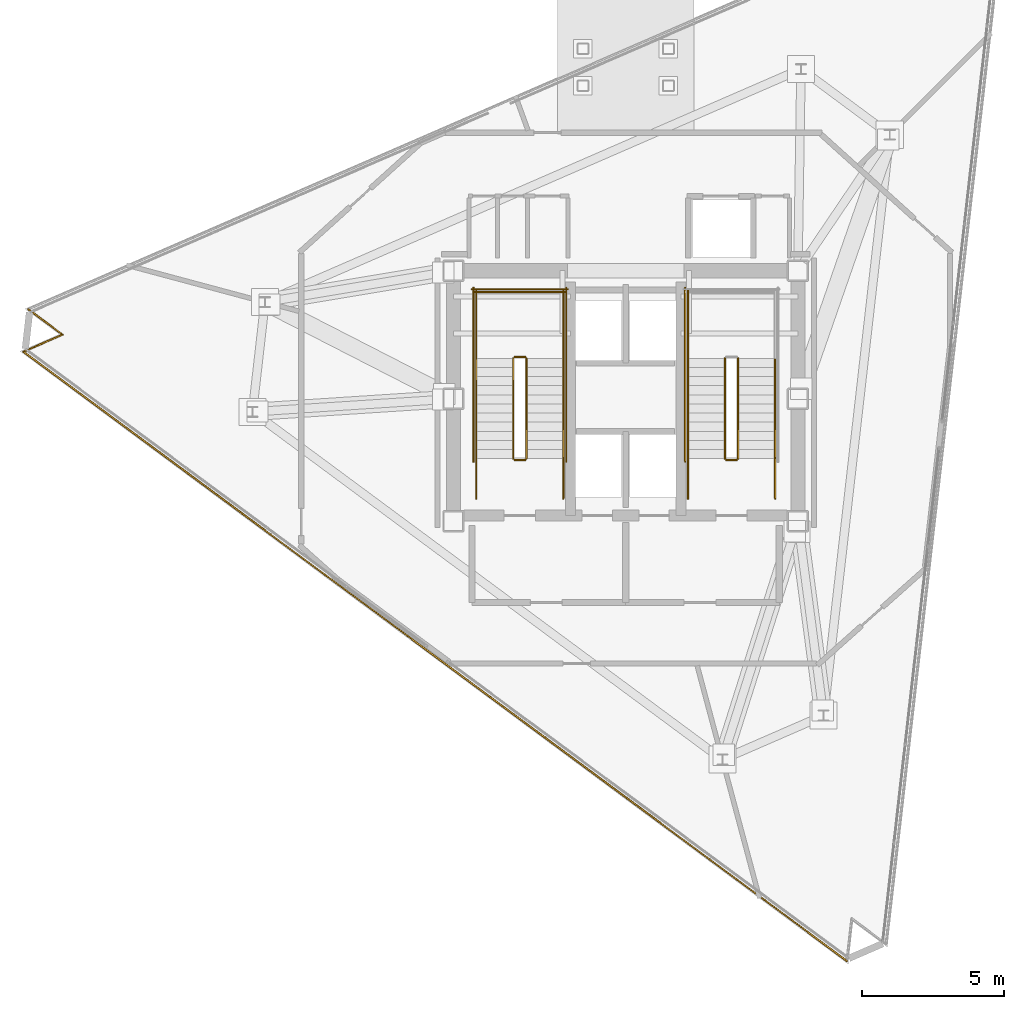
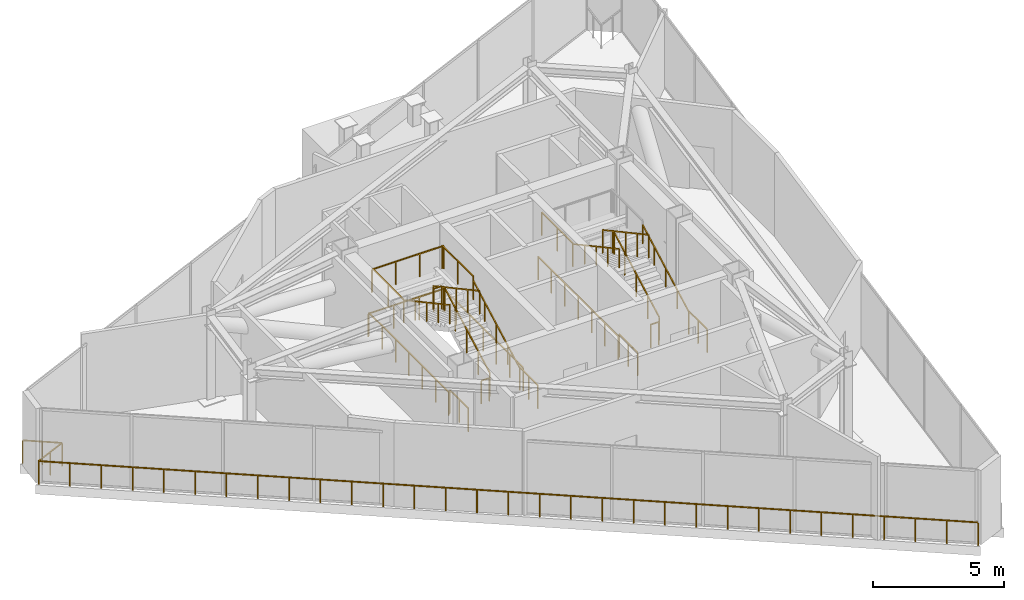
# One storey, part 10 of 11: 24 railings.
"""IFC4 building model written with IfcOpenShell, lengths in metres."""

from ifc_helpers import new_model, si_unit, direction, frame, origin, origin_2d, place, context, subcontext, project, spatial, rectangle, extrude, material, layer, layer_set, type_object, element, save


model = new_model("IFC4")

# Units and contexts
model_context = context("Model", 3, precision=1e-05, world=origin(), true_north=direction((0.0, 1.0)))
body_context = subcontext(model_context, "Body", "Model", "MODEL_VIEW")
ifc_project = project(units=[si_unit("LENGTHUNIT", "METRE"), si_unit("AREAUNIT", "SQUARE_METRE"), si_unit("VOLUMEUNIT", "CUBIC_METRE"), si_unit("PLANEANGLEUNIT", "RADIAN"), si_unit("MASSUNIT", "GRAM", prefix="KILO")], contexts=[model_context])

# Site, building, storey
site_placement = place(None, origin())
site = spatial("IfcSite", under=ifc_project, at=site_placement, CompositionType="ELEMENT")
building_placement = place(site_placement, origin())
building = spatial("IfcBuilding", under=site, at=building_placement, Name="Rocaltana Carrier Exchange", CompositionType="ELEMENT")
storey_placement = place(building_placement, frame((0.0, 0.0, 239.199951171875)))
storey = spatial("IfcBuildingStorey", under=building, at=storey_placement, Name="L76", CompositionType="ELEMENT", Elevation=239.199951171875)

# Railings
ifc_material_1 = material(Name="Brushed Architectural Stainless Tube", Category="steel")
ifc_layer_1 = layer(ifc_material_1, 0.048095703125)
ifc_layer_set_1 = layer_set([ifc_layer_1], Name="Brushed Architectural Stainless Tube")
railing_type_1 = type_object("IfcRailingType", Name="Stair Wall Handrail 920", PredefinedType="HANDRAIL", material=ifc_layer_set_1)
railing_1_placement = place(storey_placement, frame((-2.18994140625, -2.10009765625, 0.17333984375)))
element("IfcRailing", 1, at=railing_1_placement, inside=storey, type_object=railing_type_1, Name="L76 ST-1 stair handrail 1", PredefinedType="HANDRAIL", context=body_context, shape_type="SweptSolid", body=[
    extrude(rectangle(XDim=0.048095703125, YDim=0.048095703125, at=origin_2d()), frame((0.0, 0.0, 0.8759765625), z_axis=(0.0, 0.879285581423, 0.476294936254), x_axis=(-1.0, 0.0, 0.0)), (0.0, 0.0, 1.0), 4.003173828125),
    extrude(rectangle(XDim=0.0419921875, YDim=0.0419921875, at=origin_2d()), origin(), (0.0, 0.0, 1.0), 0.851806640625),
    extrude(rectangle(XDim=0.0419921875, YDim=0.0419921875, at=origin_2d()), frame((0.0, 0.8798828125, 0.4765625)), (0.0, 0.0, 1.0), 0.851806640625),
    extrude(rectangle(XDim=0.0419921875, YDim=0.0419921875, at=origin_2d()), frame((0.0, 1.760009765625, 0.953369140625)), (0.0, 0.0, 1.0), 0.851806640625),
    extrude(rectangle(XDim=0.0419921875, YDim=0.0419921875, at=origin_2d()), frame((0.0, 2.64013671875, 1.43017578125)), (0.0, 0.0, 1.0), 0.851806640625),
    extrude(rectangle(XDim=0.0419921875, YDim=0.0419921875, at=origin_2d()), frame((0.0, 3.52001953125, 1.90673828125)), (0.0, 0.0, 1.0), 0.851806640625),
])
railing_2_placement = place(storey_placement, frame((-5.25, 1.419921875, 2.25341796875)))
element("IfcRailing", 2, at=railing_2_placement, inside=storey, type_object=railing_type_1, Name="L76 ST-1 stair handrail 2", PredefinedType="HANDRAIL", context=body_context, shape_type="SweptSolid", body=[
    extrude(rectangle(XDim=0.048095703125, YDim=0.048095703125, at=origin_2d()), frame((0.0, 0.0, 0.8759765625), z_axis=(0.0, -0.879285581423, 0.476294936254), x_axis=(1.0, 0.0, 0.0)), (0.0, 0.0, 1.0), 4.003173828125),
    extrude(rectangle(XDim=0.0419921875, YDim=0.0419921875, at=origin_2d()), origin(), (0.0, 0.0, 1.0), 0.851806640625),
    extrude(rectangle(XDim=0.0419921875, YDim=0.0419921875, at=origin_2d()), frame((0.0, -0.8798828125, 0.4765625)), (0.0, 0.0, 1.0), 0.851806640625),
    extrude(rectangle(XDim=0.0419921875, YDim=0.0419921875, at=origin_2d()), frame((0.0, -1.760009765625, 0.953369140625)), (0.0, 0.0, 1.0), 0.851806640625),
    extrude(rectangle(XDim=0.0419921875, YDim=0.0419921875, at=origin_2d()), frame((0.0, -2.64013671875, 1.43017578125)), (0.0, 0.0, 1.0), 0.851806640625),
    extrude(rectangle(XDim=0.0419921875, YDim=0.0419921875, at=origin_2d()), frame((0.0, -3.52001953125, 1.90673828125)), (0.0, 0.0, 1.0), 0.851806640625),
])
railing_3_placement = place(storey_placement, frame((5.25, -2.10009765625, 0.17333984375)))
element("IfcRailing", 3, at=railing_3_placement, inside=storey, type_object=railing_type_1, Name="L76 ST-2 stair handrail 1", PredefinedType="HANDRAIL", context=body_context, shape_type="SweptSolid", body=[
    extrude(rectangle(XDim=0.048095703125, YDim=0.048095703125, at=origin_2d()), frame((0.0, 0.0, 0.8759765625), z_axis=(0.0, 0.879285581423, 0.476294936254), x_axis=(-1.0, 0.0, 0.0)), (0.0, 0.0, 1.0), 4.003173828125),
    extrude(rectangle(XDim=0.0419921875, YDim=0.0419921875, at=origin_2d()), origin(), (0.0, 0.0, 1.0), 0.851806640625),
    extrude(rectangle(XDim=0.0419921875, YDim=0.0419921875, at=origin_2d()), frame((0.0, 0.8798828125, 0.4765625)), (0.0, 0.0, 1.0), 0.851806640625),
    extrude(rectangle(XDim=0.0419921875, YDim=0.0419921875, at=origin_2d()), frame((0.0, 1.760009765625, 0.953369140625)), (0.0, 0.0, 1.0), 0.851806640625),
    extrude(rectangle(XDim=0.0419921875, YDim=0.0419921875, at=origin_2d()), frame((0.0, 2.64013671875, 1.43017578125)), (0.0, 0.0, 1.0), 0.851806640625),
    extrude(rectangle(XDim=0.0419921875, YDim=0.0419921875, at=origin_2d()), frame((0.0, 3.52001953125, 1.90673828125)), (0.0, 0.0, 1.0), 0.851806640625),
])
railing_4_placement = place(storey_placement, frame((2.18994140625, 1.419921875, 2.25341796875)))
element("IfcRailing", 4, at=railing_4_placement, inside=storey, type_object=railing_type_1, Name="L76 ST-2 stair handrail 2", PredefinedType="HANDRAIL", context=body_context, shape_type="SweptSolid", body=[
    extrude(rectangle(XDim=0.048095703125, YDim=0.048095703125, at=origin_2d()), frame((0.0, 0.0, 0.8759765625), z_axis=(0.0, -0.879285581423, 0.476294936254), x_axis=(1.0, 0.0, 0.0)), (0.0, 0.0, 1.0), 4.003173828125),
    extrude(rectangle(XDim=0.0419921875, YDim=0.0419921875, at=origin_2d()), origin(), (0.0, 0.0, 1.0), 0.851806640625),
    extrude(rectangle(XDim=0.0419921875, YDim=0.0419921875, at=origin_2d()), frame((0.0, -0.8798828125, 0.4765625)), (0.0, 0.0, 1.0), 0.851806640625),
    extrude(rectangle(XDim=0.0419921875, YDim=0.0419921875, at=origin_2d()), frame((0.0, -1.760009765625, 0.953369140625)), (0.0, 0.0, 1.0), 0.851806640625),
    extrude(rectangle(XDim=0.0419921875, YDim=0.0419921875, at=origin_2d()), frame((0.0, -2.64013671875, 1.43017578125)), (0.0, 0.0, 1.0), 0.851806640625),
    extrude(rectangle(XDim=0.0419921875, YDim=0.0419921875, at=origin_2d()), frame((0.0, -3.52001953125, 1.90673828125)), (0.0, 0.0, 1.0), 0.851806640625),
])
ifc_material_2 = material(Name="Powder-Coated Aluminium 6063-T6", Category="aluminium")
ifc_layer_2 = layer(ifc_material_2, 0.048095703125)
ifc_layer_set_2 = layer_set([ifc_layer_2], Name="Powder-Coated Aluminium 6063-T6")
railing_type_2 = type_object("IfcRailingType", Name="Stair Well Guardrail 1100", PredefinedType="GUARDRAIL", material=ifc_layer_set_2)
railing_5_placement = place(storey_placement, frame((-3.489990234375, -2.10009765625, 0.17333984375)))
element("IfcRailing", 5, at=railing_5_placement, inside=storey, type_object=railing_type_2, Name="L76 ST-1 stair guard 1", PredefinedType="GUARDRAIL", context=body_context, shape_type="SweptSolid", body=[
    extrude(rectangle(XDim=0.048095703125, YDim=0.048095703125, at=origin_2d()), frame((0.0, 0.0, 1.076171875), z_axis=(0.0, 0.879285581423, 0.476294936254), x_axis=(-1.0, 0.0, 0.0)), (0.0, 0.0, 1.0), 4.003173828125),
    extrude(rectangle(XDim=0.0419921875, YDim=0.0419921875, at=origin_2d()), origin(), (0.0, 0.0, 1.0), 1.052001953125),
    extrude(rectangle(XDim=0.0419921875, YDim=0.0419921875, at=origin_2d()), frame((0.0, 0.8798828125, 0.4765625)), (0.0, 0.0, 1.0), 1.052001953125),
    extrude(rectangle(XDim=0.0419921875, YDim=0.0419921875, at=origin_2d()), frame((0.0, 1.760009765625, 0.953369140625)), (0.0, 0.0, 1.0), 1.052001953125),
    extrude(rectangle(XDim=0.0419921875, YDim=0.0419921875, at=origin_2d()), frame((0.0, 2.64013671875, 1.43017578125)), (0.0, 0.0, 1.0), 1.052001953125),
    extrude(rectangle(XDim=0.0419921875, YDim=0.0419921875, at=origin_2d()), frame((0.0, 3.52001953125, 1.90673828125)), (0.0, 0.0, 1.0), 1.052001953125),
])
railing_6_placement = place(storey_placement, frame((-3.5400390625, 1.469970703125, 2.080078125)))
element("IfcRailing", 6, at=railing_6_placement, inside=storey, type_object=railing_type_2, Name="L76 ST-1 stair guard 2", PredefinedType="GUARDRAIL", context=body_context, shape_type="SweptSolid", body=[
    extrude(rectangle(XDim=0.048095703125, YDim=0.048095703125, at=origin_2d()), frame((0.0, 0.0, 1.076171875), z_axis=(-1.0, 0.0, 0.0), x_axis=(0.0, -1.0, 0.0)), (0.0, 0.0, 1.0), 0.35986328125),
    extrude(rectangle(XDim=0.0419921875, YDim=0.0419921875, at=origin_2d()), origin(), (0.0, 0.0, 1.0), 1.052001953125),
    extrude(rectangle(XDim=0.0419921875, YDim=0.0419921875, at=origin_2d()), frame((-0.35986328125, 0.0, 0.0)), (0.0, 0.0, 1.0), 1.052001953125),
])
for number, where, name in (
    (7, (-2.18994140625, 1.419921875, 2.080078125), "L76 ST-1 stair guard 3"),
    (8, (-5.25, 1.419921875, 2.080078125), "L76 ST-1 stair guard 4"),
):
    element("IfcRailing", number, at=place(storey_placement, frame(where)), inside=storey, type_object=railing_type_2, Name=name, PredefinedType="GUARDRAIL", context=body_context, shape_type="SweptSolid", body=[
        extrude(rectangle(XDim=0.048095703125, YDim=0.048095703125, at=origin_2d()), frame((0.0, 0.0, 1.076171875), z_axis=(0.0, 1.0, 0.0), x_axis=(-1.0, 0.0, 0.0)), (0.0, 0.0, 1.0), 2.380126953125),
        extrude(rectangle(XDim=0.0419921875, YDim=0.0419921875, at=origin_2d()), origin(), (0.0, 0.0, 1.0), 1.052001953125),
        extrude(rectangle(XDim=0.0419921875, YDim=0.0419921875, at=origin_2d()), frame((0.0, 1.18994140625, 0.0)), (0.0, 0.0, 1.0), 1.052001953125),
        extrude(rectangle(XDim=0.0419921875, YDim=0.0419921875, at=origin_2d()), frame((0.0, 2.380126953125, 0.0)), (0.0, 0.0, 1.0), 1.052001953125),
    ])
railing_7_placement = place(storey_placement, frame((-2.139892578125, 3.75, 2.080078125)))
element("IfcRailing", 9, at=railing_7_placement, inside=storey, type_object=railing_type_2, Name="L76 ST-1 stair guard 5", PredefinedType="GUARDRAIL", context=body_context, shape_type="SweptSolid", body=[
    extrude(rectangle(XDim=0.048095703125, YDim=0.048095703125, at=origin_2d()), frame((0.0, 0.0, 1.076171875), z_axis=(-1.0, 0.0, 0.0), x_axis=(0.0, -1.0, 0.0)), (0.0, 0.0, 1.0), 3.16015625),
    extrude(rectangle(XDim=0.0419921875, YDim=0.0419921875, at=origin_2d()), origin(), (0.0, 0.0, 1.0), 1.052001953125),
    extrude(rectangle(XDim=0.0419921875, YDim=0.0419921875, at=origin_2d()), frame((-1.053466796875, 0.0, 0.0)), (0.0, 0.0, 1.0), 1.052001953125),
    extrude(rectangle(XDim=0.0419921875, YDim=0.0419921875, at=origin_2d()), frame((-2.106689453125, 0.0, 0.0)), (0.0, 0.0, 1.0), 1.052001953125),
    extrude(rectangle(XDim=0.0419921875, YDim=0.0419921875, at=origin_2d()), frame((-3.16015625, 0.0, 0.0)), (0.0, 0.0, 1.0), 1.052001953125),
])
railing_8_placement = place(storey_placement, frame((-3.949951171875, 1.419921875, 2.25341796875)))
element("IfcRailing", 10, at=railing_8_placement, inside=storey, type_object=railing_type_2, Name="L76 ST-1 stair guard 6", PredefinedType="GUARDRAIL", context=body_context, shape_type="SweptSolid", body=[
    extrude(rectangle(XDim=0.048095703125, YDim=0.048095703125, at=origin_2d()), frame((0.0, 0.0, 1.076171875), z_axis=(0.0, -0.879285581423, 0.476294936254), x_axis=(1.0, 0.0, 0.0)), (0.0, 0.0, 1.0), 4.003173828125),
    extrude(rectangle(XDim=0.0419921875, YDim=0.0419921875, at=origin_2d()), origin(), (0.0, 0.0, 1.0), 1.052001953125),
    extrude(rectangle(XDim=0.0419921875, YDim=0.0419921875, at=origin_2d()), frame((0.0, -0.8798828125, 0.4765625)), (0.0, 0.0, 1.0), 1.052001953125),
    extrude(rectangle(XDim=0.0419921875, YDim=0.0419921875, at=origin_2d()), frame((0.0, -1.760009765625, 0.953369140625)), (0.0, 0.0, 1.0), 1.052001953125),
    extrude(rectangle(XDim=0.0419921875, YDim=0.0419921875, at=origin_2d()), frame((0.0, -2.64013671875, 1.43017578125)), (0.0, 0.0, 1.0), 1.052001953125),
    extrude(rectangle(XDim=0.0419921875, YDim=0.0419921875, at=origin_2d()), frame((0.0, -3.52001953125, 1.90673828125)), (0.0, 0.0, 1.0), 1.052001953125),
])
railing_9_placement = place(storey_placement, frame((-3.5400390625, -2.14990234375, 0.0)))
element("IfcRailing", 11, at=railing_9_placement, inside=storey, type_object=railing_type_2, Name="L76 ST-1 stair guard 7", PredefinedType="GUARDRAIL", context=body_context, shape_type="SweptSolid", body=[
    extrude(rectangle(XDim=0.048095703125, YDim=0.048095703125, at=origin_2d()), frame((0.0, 0.0, 1.076171875), z_axis=(-1.0, 0.0, 0.0), x_axis=(0.0, -1.0, 0.0)), (0.0, 0.0, 1.0), 0.35986328125),
    extrude(rectangle(XDim=0.0419921875, YDim=0.0419921875, at=origin_2d()), origin(), (0.0, 0.0, 1.0), 1.052001953125),
    extrude(rectangle(XDim=0.0419921875, YDim=0.0419921875, at=origin_2d()), frame((-0.35986328125, 0.0, 0.0)), (0.0, 0.0, 1.0), 1.052001953125),
])
for number, where, name in (
    (12, (-2.18994140625, -3.5, 0.0), "L76 ST-1 stair guard 8"),
    (13, (-5.25, -3.5, 0.0), "L76 ST-1 stair guard 9"),
):
    element("IfcRailing", number, at=place(storey_placement, frame(where)), inside=storey, type_object=railing_type_2, Name=name, PredefinedType="GUARDRAIL", context=body_context, shape_type="SweptSolid", body=[
        extrude(rectangle(XDim=0.048095703125, YDim=0.048095703125, at=origin_2d()), frame((0.0, 0.0, 1.076171875), z_axis=(0.0, 1.0, 0.0), x_axis=(-1.0, 0.0, 0.0)), (0.0, 0.0, 1.0), 1.39990234375),
        extrude(rectangle(XDim=0.0419921875, YDim=0.0419921875, at=origin_2d()), origin(), (0.0, 0.0, 1.0), 1.052001953125),
        extrude(rectangle(XDim=0.0419921875, YDim=0.0419921875, at=origin_2d()), frame((0.0, 0.699951171875, 0.0)), (0.0, 0.0, 1.0), 1.052001953125),
        extrude(rectangle(XDim=0.0419921875, YDim=0.0419921875, at=origin_2d()), frame((0.0, 1.39990234375, 0.0)), (0.0, 0.0, 1.0), 1.052001953125),
    ])
for number, where, name in (
    (14, (-2.090087890625, -2.199951171875, 0.0), "L76 ST-1 stair guard 10"),
    (15, (-5.35009765625, -2.199951171875, 0.0), "L76 ST-1 stair guard 11"),
):
    element("IfcRailing", number, at=place(storey_placement, frame(where)), inside=storey, type_object=railing_type_2, Name=name, PredefinedType="GUARDRAIL", context=body_context, shape_type="SweptSolid", body=[
        extrude(rectangle(XDim=0.048095703125, YDim=0.048095703125, at=origin_2d()), frame((0.0, 0.0, 1.076171875), z_axis=(0.0, 1.0, 0.0), x_axis=(-1.0, 0.0, 0.0)), (0.0, 0.0, 1.0), 6.099853515625),
        extrude(rectangle(XDim=0.0419921875, YDim=0.0419921875, at=origin_2d()), origin(), (0.0, 0.0, 1.0), 1.052001953125),
        extrude(rectangle(XDim=0.0419921875, YDim=0.0419921875, at=origin_2d()), frame((0.0, 1.0166015625, 0.0)), (0.0, 0.0, 1.0), 1.052001953125),
        extrude(rectangle(XDim=0.0419921875, YDim=0.0419921875, at=origin_2d()), frame((0.0, 2.033203125, 0.0)), (0.0, 0.0, 1.0), 1.052001953125),
        extrude(rectangle(XDim=0.0419921875, YDim=0.0419921875, at=origin_2d()), frame((0.0, 3.0498046875, 0.0)), (0.0, 0.0, 1.0), 1.052001953125),
        extrude(rectangle(XDim=0.0419921875, YDim=0.0419921875, at=origin_2d()), frame((0.0, 4.066650390625, 0.0)), (0.0, 0.0, 1.0), 1.052001953125),
        extrude(rectangle(XDim=0.0419921875, YDim=0.0419921875, at=origin_2d()), frame((0.0, 5.083251953125, 0.0)), (0.0, 0.0, 1.0), 1.052001953125),
        extrude(rectangle(XDim=0.0419921875, YDim=0.0419921875, at=origin_2d()), frame((0.0, 6.099853515625, 0.0)), (0.0, 0.0, 1.0), 1.052001953125),
    ])
railing_10_placement = place(storey_placement, frame((-2.0400390625, 3.85009765625, 0.0)))
element("IfcRailing", 16, at=railing_10_placement, inside=storey, type_object=railing_type_2, Name="L76 ST-1 stair guard 12", PredefinedType="GUARDRAIL", context=body_context, shape_type="SweptSolid", body=[
    extrude(rectangle(XDim=0.048095703125, YDim=0.048095703125, at=origin_2d()), frame((0.0, 0.0, 1.076171875), z_axis=(-1.0, 0.0, 0.0), x_axis=(0.0, -1.0, 0.0)), (0.0, 0.0, 1.0), 3.35986328125),
    extrude(rectangle(XDim=0.0419921875, YDim=0.0419921875, at=origin_2d()), origin(), (0.0, 0.0, 1.0), 1.052001953125),
    extrude(rectangle(XDim=0.0419921875, YDim=0.0419921875, at=origin_2d()), frame((-1.119873046875, 0.0, 0.0)), (0.0, 0.0, 1.0), 1.052001953125),
    extrude(rectangle(XDim=0.0419921875, YDim=0.0419921875, at=origin_2d()), frame((-2.239990234375, 0.0, 0.0)), (0.0, 0.0, 1.0), 1.052001953125),
    extrude(rectangle(XDim=0.0419921875, YDim=0.0419921875, at=origin_2d()), frame((-3.35986328125, 0.0, 0.0)), (0.0, 0.0, 1.0), 1.052001953125),
])
railing_11_placement = place(storey_placement, frame((3.949951171875, -2.10009765625, 0.17333984375)))
element("IfcRailing", 17, at=railing_11_placement, inside=storey, type_object=railing_type_2, Name="L76 ST-2 stair guard 1", PredefinedType="GUARDRAIL", context=body_context, shape_type="SweptSolid", body=[
    extrude(rectangle(XDim=0.048095703125, YDim=0.048095703125, at=origin_2d()), frame((0.0, 0.0, 1.076171875), z_axis=(0.0, 0.879285581423, 0.476294936254), x_axis=(-1.0, 0.0, 0.0)), (0.0, 0.0, 1.0), 4.003173828125),
    extrude(rectangle(XDim=0.0419921875, YDim=0.0419921875, at=origin_2d()), origin(), (0.0, 0.0, 1.0), 1.052001953125),
    extrude(rectangle(XDim=0.0419921875, YDim=0.0419921875, at=origin_2d()), frame((0.0, 0.8798828125, 0.4765625)), (0.0, 0.0, 1.0), 1.052001953125),
    extrude(rectangle(XDim=0.0419921875, YDim=0.0419921875, at=origin_2d()), frame((0.0, 1.760009765625, 0.953369140625)), (0.0, 0.0, 1.0), 1.052001953125),
    extrude(rectangle(XDim=0.0419921875, YDim=0.0419921875, at=origin_2d()), frame((0.0, 2.64013671875, 1.43017578125)), (0.0, 0.0, 1.0), 1.052001953125),
    extrude(rectangle(XDim=0.0419921875, YDim=0.0419921875, at=origin_2d()), frame((0.0, 3.52001953125, 1.90673828125)), (0.0, 0.0, 1.0), 1.052001953125),
])
railing_12_placement = place(storey_placement, frame((2.18994140625, 1.419921875, 2.080078125)))
element("IfcRailing", 18, at=railing_12_placement, inside=storey, type_object=railing_type_2, Name="L76 ST-2 stair guard 4", PredefinedType="GUARDRAIL", context=body_context, shape_type="SweptSolid", body=[
    extrude(rectangle(XDim=0.048095703125, YDim=0.048095703125, at=origin_2d()), frame((0.0, 0.0, 1.076171875), z_axis=(0.0, 1.0, 0.0), x_axis=(-1.0, 0.0, 0.0)), (0.0, 0.0, 1.0), 2.380126953125),
    extrude(rectangle(XDim=0.0419921875, YDim=0.0419921875, at=origin_2d()), origin(), (0.0, 0.0, 1.0), 1.052001953125),
    extrude(rectangle(XDim=0.0419921875, YDim=0.0419921875, at=origin_2d()), frame((0.0, 1.18994140625, 0.0)), (0.0, 0.0, 1.0), 1.052001953125),
    extrude(rectangle(XDim=0.0419921875, YDim=0.0419921875, at=origin_2d()), frame((0.0, 2.380126953125, 0.0)), (0.0, 0.0, 1.0), 1.052001953125),
])
railing_13_placement = place(storey_placement, frame((3.489990234375, 1.419921875, 2.25341796875)))
element("IfcRailing", 19, at=railing_13_placement, inside=storey, type_object=railing_type_2, Name="L76 ST-2 stair guard 6", PredefinedType="GUARDRAIL", context=body_context, shape_type="SweptSolid", body=[
    extrude(rectangle(XDim=0.048095703125, YDim=0.048095703125, at=origin_2d()), frame((0.0, 0.0, 1.076171875), z_axis=(0.0, -0.879285581423, 0.476294936254), x_axis=(1.0, 0.0, 0.0)), (0.0, 0.0, 1.0), 4.003173828125),
    extrude(rectangle(XDim=0.0419921875, YDim=0.0419921875, at=origin_2d()), origin(), (0.0, 0.0, 1.0), 1.052001953125),
    extrude(rectangle(XDim=0.0419921875, YDim=0.0419921875, at=origin_2d()), frame((0.0, -0.8798828125, 0.4765625)), (0.0, 0.0, 1.0), 1.052001953125),
    extrude(rectangle(XDim=0.0419921875, YDim=0.0419921875, at=origin_2d()), frame((0.0, -1.760009765625, 0.953369140625)), (0.0, 0.0, 1.0), 1.052001953125),
    extrude(rectangle(XDim=0.0419921875, YDim=0.0419921875, at=origin_2d()), frame((0.0, -2.64013671875, 1.43017578125)), (0.0, 0.0, 1.0), 1.052001953125),
    extrude(rectangle(XDim=0.0419921875, YDim=0.0419921875, at=origin_2d()), frame((0.0, -3.52001953125, 1.90673828125)), (0.0, 0.0, 1.0), 1.052001953125),
])
railing_14_placement = place(storey_placement, frame((3.89990234375, -2.14990234375, 0.0)))
element("IfcRailing", 20, at=railing_14_placement, inside=storey, type_object=railing_type_2, Name="L76 ST-2 stair guard 7", PredefinedType="GUARDRAIL", context=body_context, shape_type="SweptSolid", body=[
    extrude(rectangle(XDim=0.048095703125, YDim=0.048095703125, at=origin_2d()), frame((0.0, 0.0, 1.076171875), z_axis=(-1.0, 0.0, 0.0), x_axis=(0.0, -1.0, 0.0)), (0.0, 0.0, 1.0), 0.35986328125),
    extrude(rectangle(XDim=0.0419921875, YDim=0.0419921875, at=origin_2d()), origin(), (0.0, 0.0, 1.0), 1.052001953125),
    extrude(rectangle(XDim=0.0419921875, YDim=0.0419921875, at=origin_2d()), frame((-0.35986328125, 0.0, 0.0)), (0.0, 0.0, 1.0), 1.052001953125),
])
for number, where, name in (
    (21, (5.25, -3.5, 0.0), "L76 ST-2 stair guard 8"),
    (22, (2.18994140625, -3.5, 0.0), "L76 ST-2 stair guard 9"),
):
    element("IfcRailing", number, at=place(storey_placement, frame(where)), inside=storey, type_object=railing_type_2, Name=name, PredefinedType="GUARDRAIL", context=body_context, shape_type="SweptSolid", body=[
        extrude(rectangle(XDim=0.048095703125, YDim=0.048095703125, at=origin_2d()), frame((0.0, 0.0, 1.076171875), z_axis=(0.0, 1.0, 0.0), x_axis=(-1.0, 0.0, 0.0)), (0.0, 0.0, 1.0), 1.39990234375),
        extrude(rectangle(XDim=0.0419921875, YDim=0.0419921875, at=origin_2d()), origin(), (0.0, 0.0, 1.0), 1.052001953125),
        extrude(rectangle(XDim=0.0419921875, YDim=0.0419921875, at=origin_2d()), frame((0.0, 0.699951171875, 0.0)), (0.0, 0.0, 1.0), 1.052001953125),
        extrude(rectangle(XDim=0.0419921875, YDim=0.0419921875, at=origin_2d()), frame((0.0, 1.39990234375, 0.0)), (0.0, 0.0, 1.0), 1.052001953125),
    ])
railing_15_placement = place(storey_placement, frame((2.090087890625, -2.199951171875, 0.0)))
element("IfcRailing", 23, at=railing_15_placement, inside=storey, type_object=railing_type_2, Name="L76 ST-2 stair guard 11", PredefinedType="GUARDRAIL", context=body_context, shape_type="SweptSolid", body=[
    extrude(rectangle(XDim=0.048095703125, YDim=0.048095703125, at=origin_2d()), frame((0.0, 0.0, 1.076171875), z_axis=(0.0, 1.0, 0.0), x_axis=(-1.0, 0.0, 0.0)), (0.0, 0.0, 1.0), 6.099853515625),
    extrude(rectangle(XDim=0.0419921875, YDim=0.0419921875, at=origin_2d()), origin(), (0.0, 0.0, 1.0), 1.052001953125),
    extrude(rectangle(XDim=0.0419921875, YDim=0.0419921875, at=origin_2d()), frame((0.0, 1.0166015625, 0.0)), (0.0, 0.0, 1.0), 1.052001953125),
    extrude(rectangle(XDim=0.0419921875, YDim=0.0419921875, at=origin_2d()), frame((0.0, 2.033203125, 0.0)), (0.0, 0.0, 1.0), 1.052001953125),
    extrude(rectangle(XDim=0.0419921875, YDim=0.0419921875, at=origin_2d()), frame((0.0, 3.0498046875, 0.0)), (0.0, 0.0, 1.0), 1.052001953125),
    extrude(rectangle(XDim=0.0419921875, YDim=0.0419921875, at=origin_2d()), frame((0.0, 4.066650390625, 0.0)), (0.0, 0.0, 1.0), 1.052001953125),
    extrude(rectangle(XDim=0.0419921875, YDim=0.0419921875, at=origin_2d()), frame((0.0, 5.083251953125, 0.0)), (0.0, 0.0, 1.0), 1.052001953125),
    extrude(rectangle(XDim=0.0419921875, YDim=0.0419921875, at=origin_2d()), frame((0.0, 6.099853515625, 0.0)), (0.0, 0.0, 1.0), 1.052001953125),
])
ifc_material_3 = material(Name="Powder-Coated Aluminium 6063-T6", Category="aluminium")
ifc_layer_3 = layer(ifc_material_3, 0.06005859375)
ifc_layer_set_3 = layer_set([ifc_layer_3], Name="Powder-Coated Aluminium 6063-T6")
railing_type_3 = type_object("IfcRailingType", Name="Wind-Floor & Terrace Perimeter Guardrail 1100", PredefinedType="GUARDRAIL", material=ifc_layer_set_3)
railing_16_placement = place(storey_placement, frame((7.77099609375, -19.752685546875, 0.0)))
element("IfcRailing", 24, at=railing_16_placement, inside=storey, type_object=railing_type_3, Name="L76 Perimeter Balcony Guardrail 1", PredefinedType="GUARDRAIL", context=body_context, shape_type="SweptSolid", body=[
    extrude(rectangle(XDim=0.048095703125, YDim=0.048095703125, at=origin_2d()), frame((0.0, 0.0, 1.076171875), z_axis=(-0.803857856592, 0.594821440767, 0.0), x_axis=(-0.594821440767, -0.803857856592, 0.0)), (0.0, 0.0, 1.0), 35.9921875),
    extrude(rectangle(XDim=0.048095703125, YDim=0.048095703125, at=origin_2d()), frame((-28.9326171875, 21.408935546875, 1.076171875), z_axis=(0.917044176795, 0.398785628887, 0.0), x_axis=(-0.398785628887, 0.917044176795, 0.0)), (0.0, 0.0, 1.0), 1.5),
    extrude(rectangle(XDim=0.048095703125, YDim=0.048095703125, at=origin_2d()), frame((-27.55712890625, 22.007080078125, 1.076171875), z_axis=(-0.803908826949, 0.594752551867, 0.0), x_axis=(-0.594752551867, -0.803908826949, 0.0)), (0.0, 0.0, 1.0), 1.5),
    extrude(rectangle(XDim=0.0419921875, YDim=0.0419921875, at=origin_2d()), origin(), (0.0, 0.0, 1.0), 1.052001953125),
    extrude(rectangle(XDim=0.0419921875, YDim=0.0419921875, at=origin_2d()), frame((-0.96435546875, 0.713623046875, 0.0)), (0.0, 0.0, 1.0), 1.052001953125),
    extrude(rectangle(XDim=0.0419921875, YDim=0.0419921875, at=origin_2d()), frame((-1.928955078125, 1.42724609375, 0.0)), (0.0, 0.0, 1.0), 1.052001953125),
    extrude(rectangle(XDim=0.0419921875, YDim=0.0419921875, at=origin_2d()), frame((-2.893310546875, 2.140869140625, 0.0)), (0.0, 0.0, 1.0), 1.052001953125),
    extrude(rectangle(XDim=0.0419921875, YDim=0.0419921875, at=origin_2d()), frame((-3.857666015625, 2.8544921875, 0.0)), (0.0, 0.0, 1.0), 1.052001953125),
    extrude(rectangle(XDim=0.0419921875, YDim=0.0419921875, at=origin_2d()), frame((-4.822021484375, 3.568115234375, 0.0)), (0.0, 0.0, 1.0), 1.052001953125),
    extrude(rectangle(XDim=0.0419921875, YDim=0.0419921875, at=origin_2d()), frame((-5.78662109375, 4.28173828125, 0.0)), (0.0, 0.0, 1.0), 1.052001953125),
    extrude(rectangle(XDim=0.0419921875, YDim=0.0419921875, at=origin_2d()), frame((-6.7509765625, 4.995361328125, 0.0)), (0.0, 0.0, 1.0), 1.052001953125),
    extrude(rectangle(XDim=0.0419921875, YDim=0.0419921875, at=origin_2d()), frame((-7.71533203125, 5.708984375, 0.0)), (0.0, 0.0, 1.0), 1.052001953125),
    extrude(rectangle(XDim=0.0419921875, YDim=0.0419921875, at=origin_2d()), frame((-8.6796875, 6.422607421875, 0.0)), (0.0, 0.0, 1.0), 1.052001953125),
    extrude(rectangle(XDim=0.0419921875, YDim=0.0419921875, at=origin_2d()), frame((-9.644287109375, 7.13623046875, 0.0)), (0.0, 0.0, 1.0), 1.052001953125),
    extrude(rectangle(XDim=0.0419921875, YDim=0.0419921875, at=origin_2d()), frame((-10.608642578125, 7.849853515625, 0.0)), (0.0, 0.0, 1.0), 1.052001953125),
    extrude(rectangle(XDim=0.0419921875, YDim=0.0419921875, at=origin_2d()), frame((-11.572998046875, 8.5634765625, 0.0)), (0.0, 0.0, 1.0), 1.052001953125),
    extrude(rectangle(XDim=0.0419921875, YDim=0.0419921875, at=origin_2d()), frame((-12.537353515625, 9.277099609375, 0.0)), (0.0, 0.0, 1.0), 1.052001953125),
    extrude(rectangle(XDim=0.0419921875, YDim=0.0419921875, at=origin_2d()), frame((-13.501953125, 9.99072265625, 0.0)), (0.0, 0.0, 1.0), 1.052001953125),
    extrude(rectangle(XDim=0.0419921875, YDim=0.0419921875, at=origin_2d()), frame((-14.46630859375, 10.70458984375, 0.0)), (0.0, 0.0, 1.0), 1.052001953125),
    extrude(rectangle(XDim=0.0419921875, YDim=0.0419921875, at=origin_2d()), frame((-15.4306640625, 11.418212890625, 0.0)), (0.0, 0.0, 1.0), 1.052001953125),
    extrude(rectangle(XDim=0.0419921875, YDim=0.0419921875, at=origin_2d()), frame((-16.395263671875, 12.1318359375, 0.0)), (0.0, 0.0, 1.0), 1.052001953125),
    extrude(rectangle(XDim=0.0419921875, YDim=0.0419921875, at=origin_2d()), frame((-17.359619140625, 12.845458984375, 0.0)), (0.0, 0.0, 1.0), 1.052001953125),
    extrude(rectangle(XDim=0.0419921875, YDim=0.0419921875, at=origin_2d()), frame((-18.323974609375, 13.55908203125, 0.0)), (0.0, 0.0, 1.0), 1.052001953125),
    extrude(rectangle(XDim=0.0419921875, YDim=0.0419921875, at=origin_2d()), frame((-19.288330078125, 14.272705078125, 0.0)), (0.0, 0.0, 1.0), 1.052001953125),
    extrude(rectangle(XDim=0.0419921875, YDim=0.0419921875, at=origin_2d()), frame((-20.2529296875, 14.986328125, 0.0)), (0.0, 0.0, 1.0), 1.052001953125),
    extrude(rectangle(XDim=0.0419921875, YDim=0.0419921875, at=origin_2d()), frame((-21.21728515625, 15.699951171875, 0.0)), (0.0, 0.0, 1.0), 1.052001953125),
    extrude(rectangle(XDim=0.0419921875, YDim=0.0419921875, at=origin_2d()), frame((-22.181640625, 16.41357421875, 0.0)), (0.0, 0.0, 1.0), 1.052001953125),
    extrude(rectangle(XDim=0.0419921875, YDim=0.0419921875, at=origin_2d()), frame((-23.14599609375, 17.127197265625, 0.0)), (0.0, 0.0, 1.0), 1.052001953125),
    extrude(rectangle(XDim=0.0419921875, YDim=0.0419921875, at=origin_2d()), frame((-24.110595703125, 17.8408203125, 0.0)), (0.0, 0.0, 1.0), 1.052001953125),
    extrude(rectangle(XDim=0.0419921875, YDim=0.0419921875, at=origin_2d()), frame((-25.074951171875, 18.554443359375, 0.0)), (0.0, 0.0, 1.0), 1.052001953125),
    extrude(rectangle(XDim=0.0419921875, YDim=0.0419921875, at=origin_2d()), frame((-26.039306640625, 19.26806640625, 0.0)), (0.0, 0.0, 1.0), 1.052001953125),
    extrude(rectangle(XDim=0.0419921875, YDim=0.0419921875, at=origin_2d()), frame((-27.003662109375, 19.981689453125, 0.0)), (0.0, 0.0, 1.0), 1.052001953125),
    extrude(rectangle(XDim=0.0419921875, YDim=0.0419921875, at=origin_2d()), frame((-27.96826171875, 20.6953125, 0.0)), (0.0, 0.0, 1.0), 1.052001953125),
    extrude(rectangle(XDim=0.0419921875, YDim=0.0419921875, at=origin_2d()), frame((-28.9326171875, 21.408935546875, 0.0)), (0.0, 0.0, 1.0), 1.052001953125),
    extrude(rectangle(XDim=0.0419921875, YDim=0.0419921875, at=origin_2d()), frame((-28.244873046875, 21.7080078125, 0.0)), (0.0, 0.0, 1.0), 1.052001953125),
    extrude(rectangle(XDim=0.0419921875, YDim=0.0419921875, at=origin_2d()), frame((-27.55712890625, 22.007080078125, 0.0)), (0.0, 0.0, 1.0), 1.052001953125),
    extrude(rectangle(XDim=0.0419921875, YDim=0.0419921875, at=origin_2d()), frame((-28.16015625, 22.453125, 0.0)), (0.0, 0.0, 1.0), 1.052001953125),
    extrude(rectangle(XDim=0.0419921875, YDim=0.0419921875, at=origin_2d()), frame((-28.762939453125, 22.899169921875, 0.0)), (0.0, 0.0, 1.0), 1.052001953125),
])

save(model, "model.ifc")
